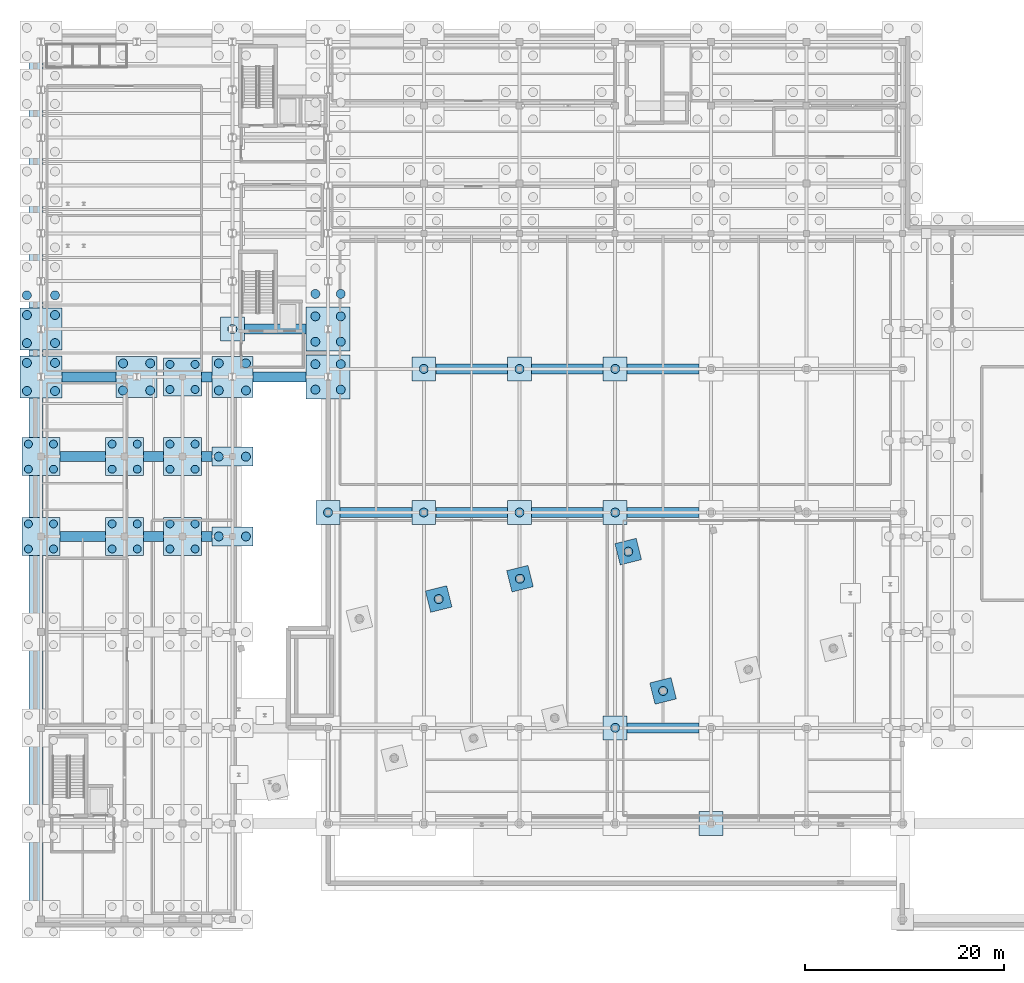
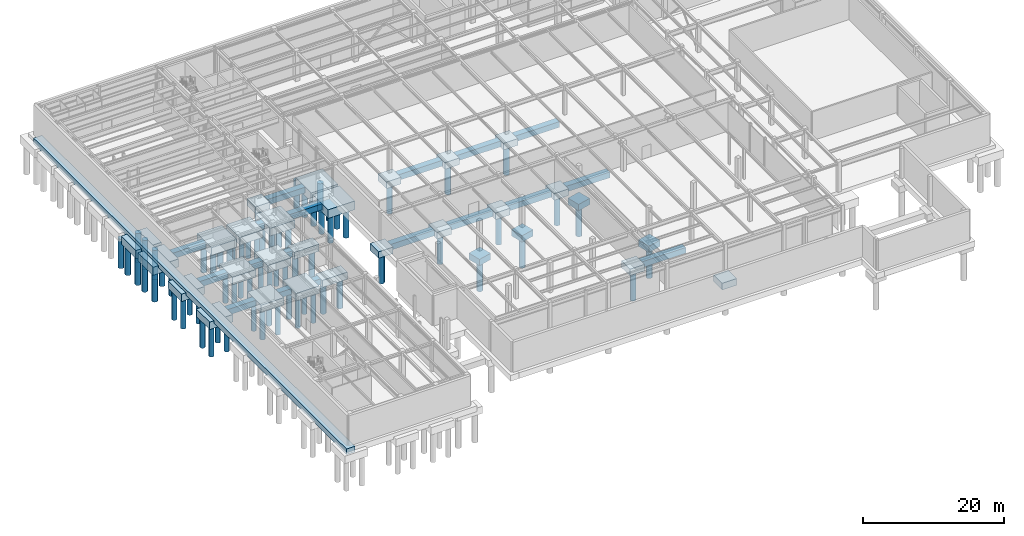
# One storey, part 2 of 33: 73 piles, 48 footings.
"""IFC4 building model written with IfcOpenShell, lengths in metres."""

from ifc_helpers import new_model, si_unit, direction, frame, origin, origin_2d, place, context, subcontext, project, spatial, polyline, rectangle, circle, outline, extrude, material, material_profile, profile_set, type_object, element, save


model = new_model("IFC4")

# Units and contexts
model_context = context("Model", 3, precision=1e-05, world=origin(), true_north=direction((0.0, 1.0)))
body_context = subcontext(model_context, "Body", "Model", "MODEL_VIEW")
ifc_project = project(units=[si_unit("LENGTHUNIT", "METRE"), si_unit("AREAUNIT", "SQUARE_METRE"), si_unit("VOLUMEUNIT", "CUBIC_METRE"), si_unit("PLANEANGLEUNIT", "RADIAN"), si_unit("MASSUNIT", "GRAM", prefix="KILO")], contexts=[model_context])

# Site, building, storey
site_placement = place(None, origin())
site = spatial("IfcSite", under=ifc_project, at=site_placement, CompositionType="ELEMENT")
building_placement = place(site_placement, origin())
building = spatial("IfcBuilding", under=site, at=building_placement, Name="Nordkorset Police Headquarters", CompositionType="ELEMENT")
storey_placement = place(building_placement, frame((0.0, 0.0, -9.800048828125)))
storey = spatial("IfcBuildingStorey", under=building, at=storey_placement, Name="B02", CompositionType="ELEMENT", Elevation=-9.800048828125)

# Piles
ifc_material_1 = material(Name="Concrete C45/55", Category="concrete")
ifc_material_profile_1 = material_profile(ifc_material_1, circle(Radius=0.39990234375, at=origin_2d()), Name="PILE D800")
ifc_profile_set_1 = profile_set([ifc_material_profile_1], Name="Concrete C45/55")
pile_type_1 = type_object("IfcPileType", Name="Bored_PILE_D800", PredefinedType="BORED", material=ifc_profile_set_1)
for number, where, z_axis, x_axis, name in (
    (1, (-1.260009765625, 65.93994140625, -1.800048828125), (0.0, 0.0, -1.0), (1.0, 0.0, 0.0), "Rock-Socketed Bored Pile V3_X0_4-1"),
    (2, (1.260009765625, 65.93994140625, -1.800048828125), (0.0, 0.0, -1.0), (1.0, 0.0, 0.0), "Rock-Socketed Bored Pile V3_X0_4-2"),
    (3, (-1.260009765625, 68.4599609375, -1.800048828125), (0.0, 0.0, -1.0), (1.0, 0.0, 0.0), "Rock-Socketed Bored Pile V3_X0_4-3"),
    (4, (1.260009765625, 68.4599609375, -1.800048828125), (0.0, 0.0, -1.0), (1.0, 0.0, 0.0), "Rock-Socketed Bored Pile V3_X0_4-4"),
    (5, (7.139892578125, 65.93994140625, -1.800048828125), (0.0, 0.0, -1.0), (1.0, 0.0, 0.0), "Rock-Socketed Bored Pile V3_X1_4-1"),
    (6, (9.659912109375, 65.93994140625, -1.800048828125), (0.0, 0.0, -1.0), (1.0, 0.0, 0.0), "Rock-Socketed Bored Pile V3_X1_4-2"),
    (7, (7.139892578125, 68.4599609375, -1.800048828125), (0.0, 0.0, -1.0), (1.0, 0.0, 0.0), "Rock-Socketed Bored Pile V3_X1_4-3"),
    (8, (9.659912109375, 68.4599609375, -1.800048828125), (0.0, 0.0, -1.0), (1.0, 0.0, 0.0), "Rock-Socketed Bored Pile V3_X1_4-4"),
    (9, (12.93994140625, 65.93994140625, -1.800048828125), (0.0, 0.0, -1.0), (1.0, 0.0, 0.0), "Rock-Socketed Bored Pile V3_X2_4-1"),
    (10, (15.4599609375, 65.93994140625, -1.800048828125), (0.0, 0.0, -1.0), (1.0, 0.0, 0.0), "Rock-Socketed Bored Pile V3_X2_4-2"),
    (11, (12.93994140625, 68.4599609375, -1.800048828125), (0.0, 0.0, -1.0), (1.0, 0.0, 0.0), "Rock-Socketed Bored Pile V3_X2_4-3"),
    (12, (15.4599609375, 68.4599609375, -1.800048828125), (0.0, 0.0, -1.0), (1.0, 0.0, 0.0), "Rock-Socketed Bored Pile V3_X2_4-4"),
    (13, (-1.260009765625, 73.93994140625, -1.800048828125), (0.0, 0.0, -1.0), (1.0, 0.0, 0.0), "Rock-Socketed Bored Pile V3_X0_5-1"),
    (14, (1.260009765625, 73.93994140625, -1.800048828125), (0.0, 0.0, -1.0), (1.0, 0.0, 0.0), "Rock-Socketed Bored Pile V3_X0_5-2"),
    (15, (-1.260009765625, 76.4599609375, -1.800048828125), (0.0, 0.0, -1.0), (1.0, 0.0, 0.0), "Rock-Socketed Bored Pile V3_X0_5-3"),
    (16, (1.260009765625, 76.4599609375, -1.800048828125), (0.0, 0.0, -1.0), (1.0, 0.0, 0.0), "Rock-Socketed Bored Pile V3_X0_5-4"),
    (17, (7.139892578125, 73.93994140625, -1.800048828125), (0.0, 0.0, -1.0), (1.0, 0.0, 0.0), "Rock-Socketed Bored Pile V3_X1_5-1"),
    (18, (9.659912109375, 73.93994140625, -1.800048828125), (0.0, 0.0, -1.0), (1.0, 0.0, 0.0), "Rock-Socketed Bored Pile V3_X1_5-2"),
    (19, (7.139892578125, 76.4599609375, -1.800048828125), (0.0, 0.0, -1.0), (1.0, 0.0, 0.0), "Rock-Socketed Bored Pile V3_X1_5-3"),
    (20, (9.659912109375, 76.4599609375, -1.800048828125), (0.0, 0.0, -1.0), (1.0, 0.0, 0.0), "Rock-Socketed Bored Pile V3_X1_5-4"),
    (21, (12.93994140625, 73.93994140625, -1.800048828125), (0.0, 0.0, -1.0), (1.0, 0.0, 0.0), "Rock-Socketed Bored Pile V3_X2_5-1"),
    (22, (15.4599609375, 73.93994140625, -1.800048828125), (0.0, 0.0, -1.0), (1.0, 0.0, 0.0), "Rock-Socketed Bored Pile V3_X2_5-2"),
    (23, (12.93994140625, 76.4599609375, -1.800048828125), (0.0, 0.0, -1.0), (1.0, 0.0, 0.0), "Rock-Socketed Bored Pile V3_X2_5-3"),
    (24, (15.4599609375, 76.4599609375, -1.800048828125), (0.0, 0.0, -1.0), (1.0, 0.0, 0.0), "Rock-Socketed Bored Pile V3_X2_5-4"),
    (25, (12.93994140625, 81.93994140625, -1.800048828125), (0.0, 0.0, -1.0), (1.0, 0.0, 0.0), "Rock-Socketed Bored Pile V3_X2_6-1"),
    (26, (15.4599609375, 81.93994140625, -1.800048828125), (0.0, 0.0, -1.0), (1.0, 0.0, 0.0), "Rock-Socketed Bored Pile V3_X2_6-2"),
    (27, (12.93994140625, 84.4599609375, -1.800048828125), (0.0, 0.0, -1.0), (1.0, 0.0, 0.0), "Rock-Socketed Bored Pile V3_X2_6-3"),
    (28, (15.4599609375, 84.4599609375, -1.800048828125), (0.0, 0.0, -1.0), (1.0, 0.0, 0.0), "Rock-Socketed Bored Pile V3_X2_6-4"),
):
    element("IfcPile", number, at=place(storey_placement, frame(where, z_axis=z_axis, x_axis=x_axis)), inside=storey, type_object=pile_type_1, Name=name, PredefinedType="BORED", context=body_context, shape_type="SweptSolid", body=[
        extrude(circle(Radius=0.39990234375, at=origin_2d()), origin(), (0.0, 0.0, 1.0), 5.199951171875),
    ])
ifc_material_2 = material(Name="Concrete C45/55", Category="concrete")
ifc_material_profile_2 = material_profile(ifc_material_2, circle(Radius=0.449951171875, at=origin_2d()), Name="PILE D900")
ifc_profile_set_2 = profile_set([ifc_material_profile_2], Name="Concrete C45/55")
pile_type_2 = type_object("IfcPileType", Name="Bored_PILE_D900", PredefinedType="BORED", material=ifc_profile_set_2)
for number, where, z_axis, x_axis, name in (
    (29, (-1.409912109375, 81.7900390625, -1.89990234375), (0.0, 0.0, -1.0), (1.0, 0.0, 0.0), "Rock-Socketed Bored Pile V1_W_0-1"),
    (30, (1.409912109375, 81.7900390625, -1.89990234375), (0.0, 0.0, -1.0), (1.0, 0.0, 0.0), "Rock-Socketed Bored Pile V1_W_0-2"),
    (31, (-1.409912109375, 84.610107421875, -1.89990234375), (0.0, 0.0, -1.0), (1.0, 0.0, 0.0), "Rock-Socketed Bored Pile V1_W_0-3"),
    (32, (1.409912109375, 84.610107421875, -1.89990234375), (0.0, 0.0, -1.0), (1.0, 0.0, 0.0), "Rock-Socketed Bored Pile V1_W_0-4"),
):
    element("IfcPile", number, at=place(storey_placement, frame(where, z_axis=z_axis, x_axis=x_axis)), inside=storey, type_object=pile_type_2, Name=name, PredefinedType="BORED", context=body_context, shape_type="SweptSolid", body=[
        extrude(circle(Radius=0.449951171875, at=origin_2d()), origin(), (0.0, 0.0, 1.0), 5.10009765625),
    ])
for number, where, z_axis, x_axis, name in (
    (33, (27.52490234375, 81.925048828125, -2.0), (0.0, 0.0, -1.0), (1.0, 0.0, 0.0), "Rock-Socketed Bored Pile V1_E_0-1"),
    (34, (30.074951171875, 81.925048828125, -2.0), (0.0, 0.0, -1.0), (1.0, 0.0, 0.0), "Rock-Socketed Bored Pile V1_E_0-2"),
    (35, (27.52490234375, 84.47509765625, -2.0), (0.0, 0.0, -1.0), (1.0, 0.0, 0.0), "Rock-Socketed Bored Pile V1_E_0-3"),
    (36, (30.074951171875, 84.47509765625, -2.0), (0.0, 0.0, -1.0), (1.0, 0.0, 0.0), "Rock-Socketed Bored Pile V1_E_0-4"),
):
    element("IfcPile", number, at=place(storey_placement, frame(where, z_axis=z_axis, x_axis=x_axis)), inside=storey, type_object=pile_type_2, Name=name, PredefinedType="BORED", context=body_context, shape_type="SweptSolid", body=[
        extrude(circle(Radius=0.449951171875, at=origin_2d()), origin(), (0.0, 0.0, 1.0), 5.0),
    ])
for number, where, z_axis, x_axis, name in (
    (37, (-1.409912109375, 86.590087890625, -1.89990234375), (0.0, 0.0, -1.0), (1.0, 0.0, 0.0), "Rock-Socketed Bored Pile V1_W_1-1"),
    (38, (1.409912109375, 86.590087890625, -1.89990234375), (0.0, 0.0, -1.0), (1.0, 0.0, 0.0), "Rock-Socketed Bored Pile V1_W_1-2"),
    (39, (-1.409912109375, 89.409912109375, -1.89990234375), (0.0, 0.0, -1.0), (1.0, 0.0, 0.0), "Rock-Socketed Bored Pile V1_W_1-3"),
    (40, (1.409912109375, 89.409912109375, -1.89990234375), (0.0, 0.0, -1.0), (1.0, 0.0, 0.0), "Rock-Socketed Bored Pile V1_W_1-4"),
):
    element("IfcPile", number, at=place(storey_placement, frame(where, z_axis=z_axis, x_axis=x_axis)), inside=storey, type_object=pile_type_2, Name=name, PredefinedType="BORED", context=body_context, shape_type="SweptSolid", body=[
        extrude(circle(Radius=0.449951171875, at=origin_2d()), origin(), (0.0, 0.0, 1.0), 5.10009765625),
    ])
for number, where, z_axis, x_axis, name in (
    (41, (27.52490234375, 86.72509765625, -2.0), (0.0, 0.0, -1.0), (1.0, 0.0, 0.0), "Rock-Socketed Bored Pile V1_E_1-1"),
    (42, (30.074951171875, 86.72509765625, -2.0), (0.0, 0.0, -1.0), (1.0, 0.0, 0.0), "Rock-Socketed Bored Pile V1_E_1-2"),
    (43, (27.52490234375, 89.27490234375, -2.0), (0.0, 0.0, -1.0), (1.0, 0.0, 0.0), "Rock-Socketed Bored Pile V1_E_1-3"),
    (44, (30.074951171875, 89.27490234375, -2.0), (0.0, 0.0, -1.0), (1.0, 0.0, 0.0), "Rock-Socketed Bored Pile V1_E_1-4"),
):
    element("IfcPile", number, at=place(storey_placement, frame(where, z_axis=z_axis, x_axis=x_axis)), inside=storey, type_object=pile_type_2, Name=name, PredefinedType="BORED", context=body_context, shape_type="SweptSolid", body=[
        extrude(circle(Radius=0.449951171875, at=origin_2d()), origin(), (0.0, 0.0, 1.0), 5.0),
    ])
for number, where, z_axis, x_axis, name in (
    (45, (-1.409912109375, 91.389892578125, -1.89990234375), (0.0, 0.0, -1.0), (1.0, 0.0, 0.0), "Rock-Socketed Bored Pile V1_W_2-1"),
    (46, (1.409912109375, 91.389892578125, -1.89990234375), (0.0, 0.0, -1.0), (1.0, 0.0, 0.0), "Rock-Socketed Bored Pile V1_W_2-2"),
):
    element("IfcPile", number, at=place(storey_placement, frame(where, z_axis=z_axis, x_axis=x_axis)), inside=storey, type_object=pile_type_2, Name=name, PredefinedType="BORED", context=body_context, shape_type="SweptSolid", body=[
        extrude(circle(Radius=0.449951171875, at=origin_2d()), origin(), (0.0, 0.0, 1.0), 5.10009765625),
    ])
for number, where, z_axis, x_axis, name in (
    (47, (27.52490234375, 91.52490234375, -2.0), (0.0, 0.0, -1.0), (1.0, 0.0, 0.0), "Rock-Socketed Bored Pile V1_E_2-1"),
    (48, (30.074951171875, 91.52490234375, -2.0), (0.0, 0.0, -1.0), (1.0, 0.0, 0.0), "Rock-Socketed Bored Pile V1_E_2-2"),
):
    element("IfcPile", number, at=place(storey_placement, frame(where, z_axis=z_axis, x_axis=x_axis)), inside=storey, type_object=pile_type_2, Name=name, PredefinedType="BORED", context=body_context, shape_type="SweptSolid", body=[
        extrude(circle(Radius=0.449951171875, at=origin_2d()), origin(), (0.0, 0.0, 1.0), 5.0),
    ])
for number, where, z_axis, x_axis, name in (
    (49, (8.239990234375, 81.840087890625, -1.849853515625), (0.0, 0.0, -1.0), (1.0, 0.0, 0.0), "Rock-Socketed Bored Pile V1_S_0-1"),
    (50, (10.9599609375, 81.840087890625, -1.849853515625), (0.0, 0.0, -1.0), (1.0, 0.0, 0.0), "Rock-Socketed Bored Pile V1_S_0-2"),
    (51, (8.239990234375, 84.56005859375, -1.849853515625), (0.0, 0.0, -1.0), (1.0, 0.0, 0.0), "Rock-Socketed Bored Pile V1_S_0-3"),
    (52, (10.9599609375, 84.56005859375, -1.849853515625), (0.0, 0.0, -1.0), (1.0, 0.0, 0.0), "Rock-Socketed Bored Pile V1_S_0-4"),
    (53, (17.840087890625, 81.840087890625, -1.849853515625), (0.0, 0.0, -1.0), (1.0, 0.0, 0.0), "Rock-Socketed Bored Pile V1_S_1-1"),
    (54, (20.56005859375, 81.840087890625, -1.849853515625), (0.0, 0.0, -1.0), (1.0, 0.0, 0.0), "Rock-Socketed Bored Pile V1_S_1-2"),
    (55, (17.840087890625, 84.56005859375, -1.849853515625), (0.0, 0.0, -1.0), (1.0, 0.0, 0.0), "Rock-Socketed Bored Pile V1_S_1-3"),
    (56, (20.56005859375, 84.56005859375, -1.849853515625), (0.0, 0.0, -1.0), (1.0, 0.0, 0.0), "Rock-Socketed Bored Pile V1_S_1-4"),
):
    element("IfcPile", number, at=place(storey_placement, frame(where, z_axis=z_axis, x_axis=x_axis)), inside=storey, type_object=pile_type_2, Name=name, PredefinedType="BORED", context=body_context, shape_type="SweptSolid", body=[
        extrude(circle(Radius=0.449951171875, at=origin_2d()), origin(), (0.0, 0.0, 1.0), 5.14990234375),
    ])
pile_placement = place(storey_placement, frame((19.199951171875, 88.0, -1.64990234375), z_axis=(0.0, 0.0, -1.0), x_axis=(1.0, 0.0, 0.0)))
element("IfcPile", 57, at=pile_placement, inside=storey, type_object=pile_type_2, Name="Rock-Socketed Bored Pile V1_CW_0-1", PredefinedType="BORED", context=body_context, shape_type="SweptSolid", body=[
    extrude(circle(Radius=0.449951171875, at=origin_2d()), origin(), (0.0, 0.0, 1.0), 5.35009765625),
])
for number, where, z_axis, x_axis, name in (
    (58, (17.840087890625, 67.199951171875, -1.699951171875), (0.0, 0.0, -1.0), (1.0, 0.0, 0.0), "Rock-Socketed Bored Pile V3_X3_4-1"),
    (59, (20.56005859375, 67.199951171875, -1.699951171875), (0.0, 0.0, -1.0), (1.0, 0.0, 0.0), "Rock-Socketed Bored Pile V3_X3_4-2"),
    (60, (17.840087890625, 75.199951171875, -1.699951171875), (0.0, 0.0, -1.0), (1.0, 0.0, 0.0), "Rock-Socketed Bored Pile V3_X3_5-1"),
    (61, (20.56005859375, 75.199951171875, -1.699951171875), (0.0, 0.0, -1.0), (1.0, 0.0, 0.0), "Rock-Socketed Bored Pile V3_X3_5-2"),
):
    element("IfcPile", number, at=place(storey_placement, frame(where, z_axis=z_axis, x_axis=x_axis)), inside=storey, type_object=pile_type_2, Name=name, PredefinedType="BORED", context=body_context, shape_type="SweptSolid", body=[
        extrude(circle(Radius=0.449951171875, at=origin_2d()), origin(), (0.0, 0.0, 1.0), 5.300048828125),
    ])
for number, where, z_axis, x_axis, name in (
    (62, (28.800048828125, 69.60009765625, -1.64990234375), (0.0, 0.0, -1.0), (1.0, 0.0, 0.0), "Rock-Socketed Bored Pile SUB_C_0_2-1"),
    (63, (38.39990234375, 69.60009765625, -1.64990234375), (0.0, 0.0, -1.0), (1.0, 0.0, 0.0), "Rock-Socketed Bored Pile SUB_C_1_2-1"),
    (64, (38.39990234375, 84.0, -1.64990234375), (0.0, 0.0, -1.0), (1.0, 0.0, 0.0), "Rock-Socketed Bored Pile SUB_C_1_3-1"),
    (65, (48.0, 69.60009765625, -1.64990234375), (0.0, 0.0, -1.0), (1.0, 0.0, 0.0), "Rock-Socketed Bored Pile SUB_C_2_2-1"),
    (66, (48.0, 84.0, -1.64990234375), (0.0, 0.0, -1.0), (1.0, 0.0, 0.0), "Rock-Socketed Bored Pile SUB_C_2_3-1"),
    (67, (57.60009765625, 48.0, -1.64990234375), (0.0, 0.0, -1.0), (1.0, 0.0, 0.0), "Rock-Socketed Bored Pile SUB_C_3_1-1"),
    (68, (57.60009765625, 69.60009765625, -1.64990234375), (0.0, 0.0, -1.0), (1.0, 0.0, 0.0), "Rock-Socketed Bored Pile SUB_C_3_2-1"),
    (69, (57.60009765625, 84.0, -1.64990234375), (0.0, 0.0, -1.0), (1.0, 0.0, 0.0), "Rock-Socketed Bored Pile SUB_C_3_3-1"),
):
    element("IfcPile", number, at=place(storey_placement, frame(where, z_axis=z_axis, x_axis=x_axis)), inside=storey, type_object=pile_type_2, Name=name, PredefinedType="BORED", context=body_context, shape_type="SweptSolid", body=[
        extrude(circle(Radius=0.449951171875, at=origin_2d()), origin(), (0.0, 0.0, 1.0), 5.35009765625),
    ])
for number, where, z_axis, x_axis, name in (
    (70, (39.8984375, 60.917724609375, -1.599853515625), (0.0, 0.0, -1.0), (1.0, 0.0, 0.0), "Rock-Socketed Bored Pile V4_U2_V1-1"),
    (71, (48.047607421875, 62.955078125, -1.599853515625), (0.0, 0.0, -1.0), (1.0, 0.0, 0.0), "Rock-Socketed Bored Pile V4_U3_V1-1"),
    (72, (62.40576171875, 51.701416015625, -1.599853515625), (0.0, 0.0, -1.0), (1.0, 0.0, 0.0), "Rock-Socketed Bored Pile V4_U4_V0-1"),
    (73, (58.9130859375, 65.67138671875, -1.599853515625), (0.0, 0.0, -1.0), (1.0, 0.0, 0.0), "Rock-Socketed Bored Pile V4_U4_V1-1"),
):
    element("IfcPile", number, at=place(storey_placement, frame(where, z_axis=z_axis, x_axis=x_axis)), inside=storey, type_object=pile_type_2, Name=name, PredefinedType="BORED", context=body_context, shape_type="SweptSolid", body=[
        extrude(circle(Radius=0.449951171875, at=origin_2d()), origin(), (0.0, 0.0, 1.0), 5.39990234375),
    ])

# Footings
ifc_material_3 = material(Name="Concrete C35/45", Category="concrete")
footing_type_1 = type_object("IfcFootingType", Name="Cap_2200x2200x1100", PredefinedType="PILE_CAP", material=ifc_material_3)
for number, where, z_axis, x_axis, name in (
    (74, (39.8984375, 60.917724609375, -1.699951171875), (0.0, 0.0, 1.0), (0.970142500145, 0.242535625038, 0.0), "Reinforced Concrete Pile Cap V4_U2_V1"),
    (75, (48.047607421875, 62.955078125, -1.699951171875), (0.0, 0.0, 1.0), (0.970142500145, 0.242535625038, 0.0), "Reinforced Concrete Pile Cap V4_U3_V1"),
    (76, (62.40576171875, 51.701416015625, -1.699951171875), (0.0, 0.0, 1.0), (0.970142500145, 0.242535625038, 0.0), "Reinforced Concrete Pile Cap V4_U4_V0"),
    (77, (58.9130859375, 65.67138671875, -1.699951171875), (0.0, 0.0, 1.0), (0.970142500145, 0.242535625038, 0.0), "Reinforced Concrete Pile Cap V4_U4_V1"),
):
    element("IfcFooting", number, at=place(storey_placement, frame(where, z_axis=z_axis, x_axis=x_axis)), inside=storey, type_object=footing_type_1, Name=name, PredefinedType="PILE_CAP", context=body_context, shape_type="SweptSolid", body=[
        extrude(rectangle(XDim=2.199951171875, YDim=2.199951171875, at=origin_2d()), origin(), (0.0, 0.0, 1.0), 1.10009765625),
    ])
ifc_material_4 = material(Name="Concrete C35/45", Category="concrete")
footing_type_2 = type_object("IfcFootingType", Name="Cap_2400x2400x1150", PredefinedType="PILE_CAP", material=ifc_material_4)
for number, where, z_axis, x_axis, name in (
    (78, (19.199951171875, 88.0, -1.75), (0.0, 0.0, 1.0), (1.0, 0.0, 0.0), "Reinforced Concrete Pile Cap V1_CW_0"),
    (79, (28.800048828125, 69.60009765625, -1.75), (0.0, 0.0, 1.0), (1.0, 0.0, 0.0), "Reinforced Concrete Pile Cap SUB_C_0_2"),
    (80, (38.39990234375, 69.60009765625, -1.75), (0.0, 0.0, 1.0), (1.0, 0.0, 0.0), "Reinforced Concrete Pile Cap SUB_C_1_2"),
    (81, (38.39990234375, 84.0, -1.75), (0.0, 0.0, 1.0), (1.0, 0.0, 0.0), "Reinforced Concrete Pile Cap SUB_C_1_3"),
    (82, (48.0, 69.60009765625, -1.75), (0.0, 0.0, 1.0), (1.0, 0.0, 0.0), "Reinforced Concrete Pile Cap SUB_C_2_2"),
    (83, (48.0, 84.0, -1.75), (0.0, 0.0, 1.0), (1.0, 0.0, 0.0), "Reinforced Concrete Pile Cap SUB_C_2_3"),
    (84, (57.60009765625, 48.0, -1.75), (0.0, 0.0, 1.0), (1.0, 0.0, 0.0), "Reinforced Concrete Pile Cap SUB_C_3_1"),
    (85, (57.60009765625, 69.60009765625, -1.75), (0.0, 0.0, 1.0), (1.0, 0.0, 0.0), "Reinforced Concrete Pile Cap SUB_C_3_2"),
    (86, (57.60009765625, 84.0, -1.75), (0.0, 0.0, 1.0), (1.0, 0.0, 0.0), "Reinforced Concrete Pile Cap SUB_C_3_3"),
    (87, (67.199951171875, 38.39990234375, -1.75), (0.0, 0.0, 1.0), (1.0, 0.0, 0.0), "Reinforced Concrete Pile Cap SUB_C_4_0"),
):
    element("IfcFooting", number, at=place(storey_placement, frame(where, z_axis=z_axis, x_axis=x_axis)), inside=storey, type_object=footing_type_2, Name=name, PredefinedType="PILE_CAP", context=body_context, shape_type="SweptSolid", body=[
        extrude(rectangle(XDim=2.39990234375, YDim=2.39990234375, at=origin_2d()), origin(), (0.0, 0.0, 1.0), 1.14990234375),
    ])
ifc_material_5 = material(Name="Concrete C35/45", Category="concrete")
footing_type_3 = type_object("IfcFootingType", Name="Cap_3800x1900x1200", PredefinedType="PILE_CAP", material=ifc_material_5)
for number, where, z_axis, x_axis, name in (
    (88, (19.199951171875, 67.199951171875, -1.7998046875), (0.0, 0.0, 1.0), (1.0, 0.0, 0.0), "Reinforced Concrete Pile Cap V3_X3_4"),
    (89, (19.199951171875, 75.199951171875, -1.7998046875), (0.0, 0.0, 1.0), (1.0, 0.0, 0.0), "Reinforced Concrete Pile Cap V3_X3_5"),
):
    element("IfcFooting", number, at=place(storey_placement, frame(where, z_axis=z_axis, x_axis=x_axis)), inside=storey, type_object=footing_type_3, Name=name, PredefinedType="PILE_CAP", context=body_context, shape_type="SweptSolid", body=[
        extrude(rectangle(XDim=4.10009765625, YDim=1.89990234375, at=origin_2d()), origin(), (0.0, 0.0, 1.0), 1.199951171875),
    ])
ifc_material_6 = material(Name="Concrete C35/45", Category="concrete")
footing_type_4 = type_object("IfcFootingType", Name="Cap_3800x3800x1300", PredefinedType="PILE_CAP", material=ifc_material_6)
for number, where, z_axis, x_axis, name in (
    (90, (0.0, 67.199951171875, -1.89990234375), (0.0, 0.0, 1.0), (1.0, 0.0, 0.0), "Reinforced Concrete Pile Cap V3_X0_4"),
    (91, (8.39990234375, 67.199951171875, -1.89990234375), (0.0, 0.0, 1.0), (1.0, 0.0, 0.0), "Reinforced Concrete Pile Cap V3_X1_4"),
    (92, (14.199951171875, 67.199951171875, -1.89990234375), (0.0, 0.0, 1.0), (1.0, 0.0, 0.0), "Reinforced Concrete Pile Cap V3_X2_4"),
    (93, (0.0, 75.199951171875, -1.89990234375), (0.0, 0.0, 1.0), (1.0, 0.0, 0.0), "Reinforced Concrete Pile Cap V3_X0_5"),
    (94, (8.39990234375, 75.199951171875, -1.89990234375), (0.0, 0.0, 1.0), (1.0, 0.0, 0.0), "Reinforced Concrete Pile Cap V3_X1_5"),
    (95, (14.199951171875, 75.199951171875, -1.89990234375), (0.0, 0.0, 1.0), (1.0, 0.0, 0.0), "Reinforced Concrete Pile Cap V3_X2_5"),
    (96, (14.199951171875, 83.199951171875, -1.89990234375), (0.0, 0.0, 1.0), (1.0, 0.0, 0.0), "Reinforced Concrete Pile Cap V3_X2_6"),
):
    element("IfcFooting", number, at=place(storey_placement, frame(where, z_axis=z_axis, x_axis=x_axis)), inside=storey, type_object=footing_type_4, Name=name, PredefinedType="PILE_CAP", context=body_context, shape_type="SweptSolid", body=[
        extrude(rectangle(XDim=3.800048828125, YDim=3.800048828125, at=origin_2d()), origin(), (0.0, 0.0, 1.0), 1.300048828125),
    ])
ifc_material_7 = material(Name="Concrete C35/45", Category="concrete")
footing_type_5 = type_object("IfcFootingType", Name="Cap_3900x3900x1350", PredefinedType="PILE_CAP", material=ifc_material_7)
for number, where, z_axis, x_axis, name in (
    (97, (9.60009765625, 83.199951171875, -1.949951171875), (0.0, 0.0, 1.0), (1.0, 0.0, 0.0), "Reinforced Concrete Pile Cap V1_S_0"),
    (98, (19.199951171875, 83.199951171875, -1.949951171875), (0.0, 0.0, 1.0), (1.0, 0.0, 0.0), "Reinforced Concrete Pile Cap V1_S_1"),
):
    element("IfcFooting", number, at=place(storey_placement, frame(where, z_axis=z_axis, x_axis=x_axis)), inside=storey, type_object=footing_type_5, Name=name, PredefinedType="PILE_CAP", context=body_context, shape_type="SweptSolid", body=[
        extrude(rectangle(XDim=4.10009765625, YDim=4.10009765625, at=origin_2d()), origin(), (0.0, 0.0, 1.0), 1.35009765625),
    ])
ifc_material_8 = material(Name="Concrete C35/45", Category="concrete")
footing_type_6 = type_object("IfcFootingType", Name="Cap_4200x4200x1400", PredefinedType="PILE_CAP", material=ifc_material_8)
for number, where, z_axis, x_axis, name in (
    (99, (0.0, 83.199951171875, -2.0), (0.0, 0.0, 1.0), (1.0, 0.0, 0.0), "Reinforced Concrete Pile Cap V1_W_0"),
    (100, (0.0, 88.0, -2.0), (0.0, 0.0, 1.0), (1.0, 0.0, 0.0), "Reinforced Concrete Pile Cap V1_W_1"),
):
    element("IfcFooting", number, at=place(storey_placement, frame(where, z_axis=z_axis, x_axis=x_axis)), inside=storey, type_object=footing_type_6, Name=name, PredefinedType="PILE_CAP", context=body_context, shape_type="SweptSolid", body=[
        extrude(rectangle(XDim=4.199951171875, YDim=4.199951171875, at=origin_2d()), origin(), (0.0, 0.0, 1.0), 1.39990234375),
    ])
ifc_material_9 = material(Name="Concrete C35/45", Category="concrete")
footing_type_7 = type_object("IfcFootingType", Name="Cap_4400x4400x1500", PredefinedType="PILE_CAP", material=ifc_material_9)
for number, where, z_axis, x_axis, name in (
    (101, (28.800048828125, 83.199951171875, -2.099853515625), (0.0, 0.0, 1.0), (1.0, 0.0, 0.0), "Reinforced Concrete Pile Cap V1_E_0"),
    (102, (28.800048828125, 88.0, -2.099853515625), (0.0, 0.0, 1.0), (1.0, 0.0, 0.0), "Reinforced Concrete Pile Cap V1_E_1"),
):
    element("IfcFooting", number, at=place(storey_placement, frame(where, z_axis=z_axis, x_axis=x_axis)), inside=storey, type_object=footing_type_7, Name=name, PredefinedType="PILE_CAP", context=body_context, shape_type="SweptSolid", body=[
        extrude(rectangle(XDim=4.39990234375, YDim=4.39990234375, at=origin_2d()), origin(), (0.0, 0.0, 1.0), 1.5),
    ])
ifc_material_10 = material(Name="Concrete C35/45", Category="concrete")
footing_type_8 = type_object("IfcFootingType", Name="Strip_1000x1000", PredefinedType="STRIP_FOOTING", material=ifc_material_10)
footing_1_placement = place(storey_placement, frame((0.0, 0.0, -1.599853515625)))
element("IfcFooting", 103, at=footing_1_placement, inside=storey, type_object=footing_type_8, Name="Foundation Tie Strip Footing X-067", PredefinedType="STRIP_FOOTING", context=body_context, shape_type="SweptSolid", body=[
    extrude(outline(polyline([(58.802978515625, 47.5), (65.9970703125, 47.5), (65.9970703125, 48.5), (58.802978515625, 48.5), (58.802978515625, 47.5)])), origin(), (0.0, 0.0, 1.0), 1.0),
])
footing_2_placement = place(storey_placement, frame((0.0, 0.0, -1.599853515625)))
element("IfcFooting", 104, at=footing_2_placement, inside=storey, type_object=footing_type_8, Name="Foundation Tie Strip Footing X-075", PredefinedType="STRIP_FOOTING", context=body_context, shape_type="SweptSolid", body=[
    extrude(outline(polyline([(1.903076171875, 66.699951171875), (6.4970703125, 66.699951171875), (6.4970703125, 67.699951171875), (1.903076171875, 67.699951171875), (1.903076171875, 66.699951171875)])), origin(), (0.0, 0.0, 1.0), 1.0),
])
footing_3_placement = place(storey_placement, frame((0.0, 0.0, -1.599853515625)))
element("IfcFooting", 105, at=footing_3_placement, inside=storey, type_object=footing_type_8, Name="Foundation Tie Strip Footing X-076", PredefinedType="STRIP_FOOTING", context=body_context, shape_type="SweptSolid", body=[
    extrude(outline(polyline([(10.302978515625, 66.699951171875), (12.297119140625, 66.699951171875), (12.297119140625, 67.699951171875), (10.302978515625, 67.699951171875), (10.302978515625, 66.699951171875)])), origin(), (0.0, 0.0, 1.0), 1.0),
])
footing_4_placement = place(storey_placement, frame((0.0, 0.0, -1.599853515625)))
element("IfcFooting", 106, at=footing_4_placement, inside=storey, type_object=footing_type_8, Name="Foundation Tie Strip Footing X-077", PredefinedType="STRIP_FOOTING", context=body_context, shape_type="SweptSolid", body=[
    extrude(outline(polyline([(16.10302734375, 66.699951171875), (17.14697265625, 66.699951171875), (17.14697265625, 67.699951171875), (16.10302734375, 67.699951171875), (16.10302734375, 66.699951171875)])), origin(), (0.0, 0.0, 1.0), 1.0),
])
footing_5_placement = place(storey_placement, frame((0.0, 0.0, -1.599853515625)))
element("IfcFooting", 107, at=footing_5_placement, inside=storey, type_object=footing_type_8, Name="Foundation Tie Strip Footing X-079", PredefinedType="STRIP_FOOTING", context=body_context, shape_type="SweptSolid", body=[
    extrude(outline(polyline([(30.0029296875, 69.10009765625), (37.197021484375, 69.10009765625), (37.197021484375, 70.10009765625), (30.0029296875, 70.10009765625), (30.0029296875, 69.10009765625)])), origin(), (0.0, 0.0, 1.0), 1.0),
])
footing_6_placement = place(storey_placement, frame((0.0, 0.0, -1.599853515625)))
element("IfcFooting", 108, at=footing_6_placement, inside=storey, type_object=footing_type_8, Name="Foundation Tie Strip Footing X-080", PredefinedType="STRIP_FOOTING", context=body_context, shape_type="SweptSolid", body=[
    extrude(outline(polyline([(39.60302734375, 69.10009765625), (46.797119140625, 69.10009765625), (46.797119140625, 70.10009765625), (39.60302734375, 70.10009765625), (39.60302734375, 69.10009765625)])), origin(), (0.0, 0.0, 1.0), 1.0),
])
footing_7_placement = place(storey_placement, frame((0.0, 0.0, -1.599853515625)))
element("IfcFooting", 109, at=footing_7_placement, inside=storey, type_object=footing_type_8, Name="Foundation Tie Strip Footing X-081", PredefinedType="STRIP_FOOTING", context=body_context, shape_type="SweptSolid", body=[
    extrude(outline(polyline([(49.202880859375, 69.10009765625), (56.39697265625, 69.10009765625), (56.39697265625, 70.10009765625), (49.202880859375, 70.10009765625), (49.202880859375, 69.10009765625)])), origin(), (0.0, 0.0, 1.0), 1.0),
])
footing_8_placement = place(storey_placement, frame((0.0, 0.0, -1.599853515625)))
element("IfcFooting", 110, at=footing_8_placement, inside=storey, type_object=footing_type_8, Name="Foundation Tie Strip Footing X-082", PredefinedType="STRIP_FOOTING", context=body_context, shape_type="SweptSolid", body=[
    extrude(outline(polyline([(58.802978515625, 69.10009765625), (65.9970703125, 69.10009765625), (65.9970703125, 70.10009765625), (58.802978515625, 70.10009765625), (58.802978515625, 69.10009765625)])), origin(), (0.0, 0.0, 1.0), 1.0),
])
footing_9_placement = place(storey_placement, frame((0.0, 0.0, -1.599853515625)))
element("IfcFooting", 111, at=footing_9_placement, inside=storey, type_object=footing_type_8, Name="Foundation Tie Strip Footing X-085", PredefinedType="STRIP_FOOTING", context=body_context, shape_type="SweptSolid", body=[
    extrude(outline(polyline([(1.903076171875, 74.699951171875), (6.4970703125, 74.699951171875), (6.4970703125, 75.699951171875), (1.903076171875, 75.699951171875), (1.903076171875, 74.699951171875)])), origin(), (0.0, 0.0, 1.0), 1.0),
])
footing_10_placement = place(storey_placement, frame((0.0, 0.0, -1.599853515625)))
element("IfcFooting", 112, at=footing_10_placement, inside=storey, type_object=footing_type_8, Name="Foundation Tie Strip Footing X-086", PredefinedType="STRIP_FOOTING", context=body_context, shape_type="SweptSolid", body=[
    extrude(outline(polyline([(10.302978515625, 74.699951171875), (12.297119140625, 74.699951171875), (12.297119140625, 75.699951171875), (10.302978515625, 75.699951171875), (10.302978515625, 74.699951171875)])), origin(), (0.0, 0.0, 1.0), 1.0),
])
footing_11_placement = place(storey_placement, frame((0.0, 0.0, -1.599853515625)))
element("IfcFooting", 113, at=footing_11_placement, inside=storey, type_object=footing_type_8, Name="Foundation Tie Strip Footing X-087", PredefinedType="STRIP_FOOTING", context=body_context, shape_type="SweptSolid", body=[
    extrude(outline(polyline([(16.10302734375, 74.699951171875), (17.14697265625, 74.699951171875), (17.14697265625, 75.699951171875), (16.10302734375, 75.699951171875), (16.10302734375, 74.699951171875)])), origin(), (0.0, 0.0, 1.0), 1.0),
])
footing_12_placement = place(storey_placement, frame((0.0, 0.0, -1.599853515625)))
element("IfcFooting", 114, at=footing_12_placement, inside=storey, type_object=footing_type_8, Name="Foundation Tie Strip Footing X-089", PredefinedType="STRIP_FOOTING", context=body_context, shape_type="SweptSolid", body=[
    extrude(outline(polyline([(2.10302734375, 82.699951171875), (7.547119140625, 82.699951171875), (7.547119140625, 83.699951171875), (2.10302734375, 83.699951171875), (2.10302734375, 82.699951171875)])), origin(), (0.0, 0.0, 1.0), 1.0),
])
footing_13_placement = place(storey_placement, frame((0.0, 0.0, -1.599853515625)))
element("IfcFooting", 115, at=footing_13_placement, inside=storey, type_object=footing_type_8, Name="Foundation Tie Strip Footing X-090", PredefinedType="STRIP_FOOTING", context=body_context, shape_type="SweptSolid", body=[
    extrude(outline(polyline([(16.10302734375, 82.699951171875), (17.14697265625, 82.699951171875), (17.14697265625, 83.699951171875), (16.10302734375, 83.699951171875), (16.10302734375, 82.699951171875)])), origin(), (0.0, 0.0, 1.0), 1.0),
])
footing_14_placement = place(storey_placement, frame((0.0, 0.0, -1.599853515625)))
element("IfcFooting", 116, at=footing_14_placement, inside=storey, type_object=footing_type_8, Name="Foundation Tie Strip Footing X-091", PredefinedType="STRIP_FOOTING", context=body_context, shape_type="SweptSolid", body=[
    extrude(outline(polyline([(21.2529296875, 82.699951171875), (26.596923828125, 82.699951171875), (26.596923828125, 83.699951171875), (21.2529296875, 83.699951171875), (21.2529296875, 82.699951171875)])), origin(), (0.0, 0.0, 1.0), 1.0),
])
footing_15_placement = place(storey_placement, frame((0.0, 0.0, -1.599853515625)))
element("IfcFooting", 117, at=footing_15_placement, inside=storey, type_object=footing_type_8, Name="Foundation Tie Strip Footing X-092", PredefinedType="STRIP_FOOTING", context=body_context, shape_type="SweptSolid", body=[
    extrude(outline(polyline([(39.60302734375, 83.5), (46.797119140625, 83.5), (46.797119140625, 84.5), (39.60302734375, 84.5), (39.60302734375, 83.5)])), origin(), (0.0, 0.0, 1.0), 1.0),
])
footing_16_placement = place(storey_placement, frame((0.0, 0.0, -1.599853515625)))
element("IfcFooting", 118, at=footing_16_placement, inside=storey, type_object=footing_type_8, Name="Foundation Tie Strip Footing X-093", PredefinedType="STRIP_FOOTING", context=body_context, shape_type="SweptSolid", body=[
    extrude(outline(polyline([(49.202880859375, 83.5), (56.39697265625, 83.5), (56.39697265625, 84.5), (49.202880859375, 84.5), (49.202880859375, 83.5)])), origin(), (0.0, 0.0, 1.0), 1.0),
])
footing_17_placement = place(storey_placement, frame((0.0, 0.0, -1.599853515625)))
element("IfcFooting", 119, at=footing_17_placement, inside=storey, type_object=footing_type_8, Name="Foundation Tie Strip Footing X-094", PredefinedType="STRIP_FOOTING", context=body_context, shape_type="SweptSolid", body=[
    extrude(outline(polyline([(58.802978515625, 83.5), (65.9970703125, 83.5), (65.9970703125, 84.5), (58.802978515625, 84.5), (58.802978515625, 83.5)])), origin(), (0.0, 0.0, 1.0), 1.0),
])
footing_18_placement = place(storey_placement, frame((0.0, 0.0, -1.599853515625)))
element("IfcFooting", 120, at=footing_18_placement, inside=storey, type_object=footing_type_8, Name="Foundation Tie Strip Footing X-097", PredefinedType="STRIP_FOOTING", context=body_context, shape_type="SweptSolid", body=[
    extrude(outline(polyline([(20.403076171875, 87.5), (26.596923828125, 87.5), (26.596923828125, 88.5), (20.403076171875, 88.5), (20.403076171875, 87.5)])), origin(), (0.0, 0.0, 1.0), 1.0),
])
footing_19_placement = place(storey_placement, frame((0.0, 0.0, -1.0)))
element("IfcFooting", 121, at=footing_19_placement, inside=storey, type_object=footing_type_8, Name="Subterranean Perimeter Strip Footing FTG-RET-W1", PredefinedType="STRIP_FOOTING", context=body_context, shape_type="SweptSolid", body=[
    extrude(outline(polyline([(-1.199951171875, 27.60009765625), (0.199951171875, 27.60009765625), (0.199951171875, 116.60009765625), (-1.199951171875, 116.60009765625), (-1.199951171875, 27.60009765625)])), origin(), (0.0, 0.0, 1.0), 1.0),
])

save(model, "model.ifc")
